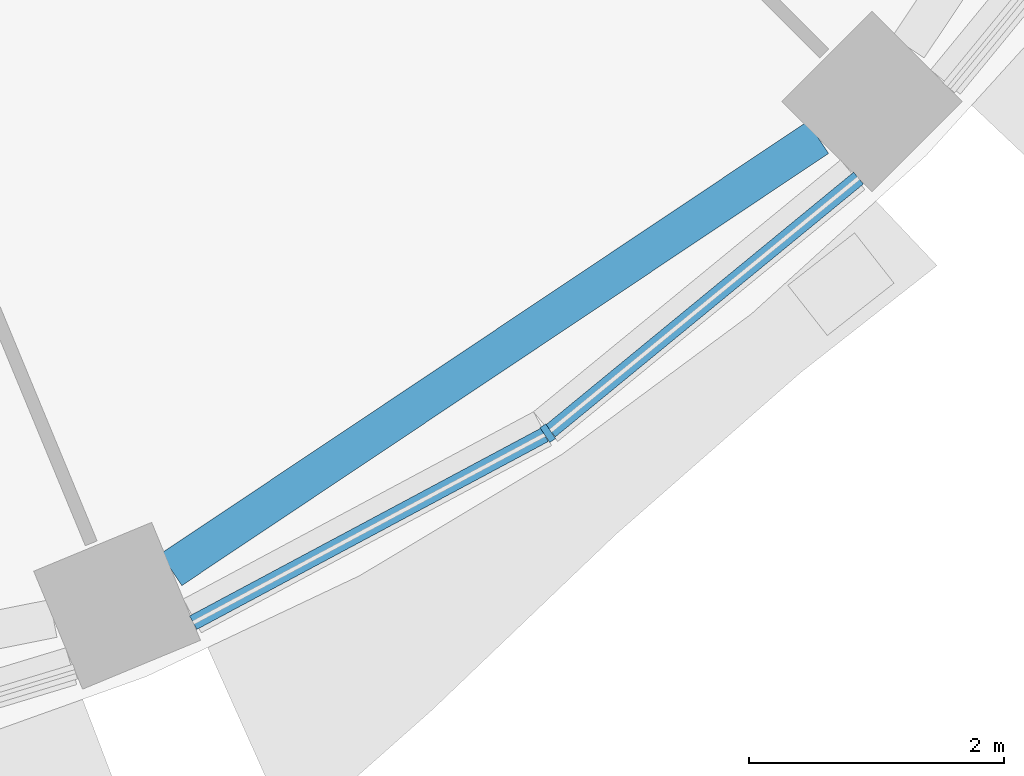
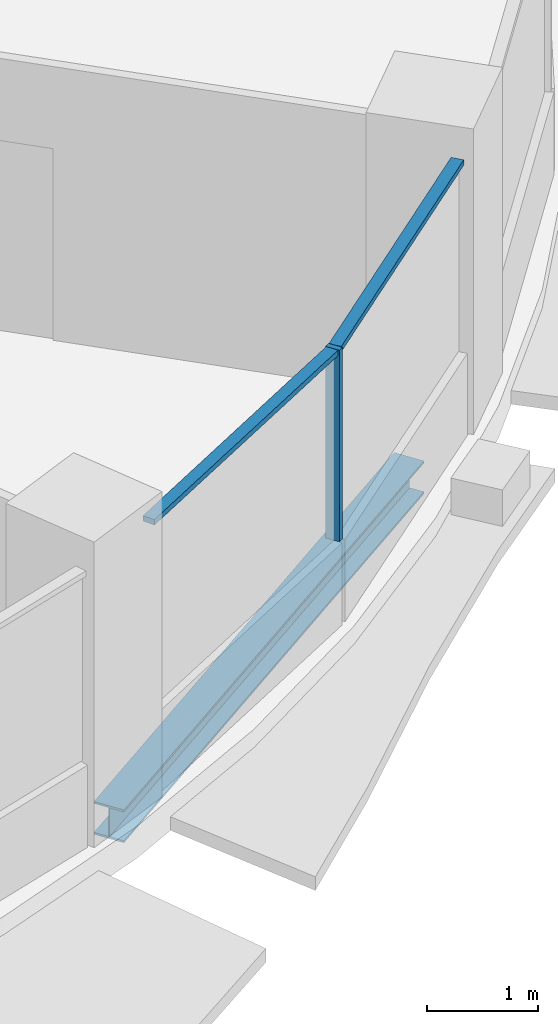
# One storey, part 3 of 15: 3 members, 1 beam, 1 element without a shape of its own.
"""IFC4 building model written with IfcOpenShell, lengths in metres."""

from ifc_helpers import new_model, si_unit, direction, frame, origin, origin_2d, place, context, subcontext, project, spatial, rectangle, i_section, extrude, material, material_profile, profile_set, type_object, element, aggregate, save


model = new_model("IFC4")

# Units and contexts
model_context = context("Model", 3, precision=1e-05, world=origin(), true_north=direction((0.0, 1.0)))
body_context = subcontext(model_context, "Body", "Model", "MODEL_VIEW")
ifc_project = project(units=[si_unit("LENGTHUNIT", "METRE"), si_unit("AREAUNIT", "SQUARE_METRE"), si_unit("VOLUMEUNIT", "CUBIC_METRE"), si_unit("PLANEANGLEUNIT", "RADIAN"), si_unit("MASSUNIT", "GRAM", prefix="KILO")], contexts=[model_context])

# Site, building, storey
site_placement = place(None, origin())
site = spatial("IfcSite", under=ifc_project, at=site_placement, CompositionType="ELEMENT")
building_placement = place(site_placement, origin())
building = spatial("IfcBuilding", under=site, at=building_placement, Name="Polderwave Tower", CompositionType="ELEMENT")
storey_placement = place(building_placement, frame((0.0, 0.0, 151.10009765625)))
storey = spatial("IfcBuildingStorey", under=building, at=storey_placement, Name="L40", CompositionType="ELEMENT", Elevation=151.10009765625)

# Curtain wall, members
ifc_material_1 = material(Name="Aluminium 6063-T6 and glass", Category="aluminium")
curtain_wall_type = type_object("IfcCurtainWallType", Name="Office ribbon glazing wall", PredefinedType="NOTDEFINED", material=ifc_material_1)
curtain_wall_placement = place(storey_placement, origin())
curtain_wall = element("IfcCurtainWall", 1, at=curtain_wall_placement, inside=storey, type_object=curtain_wall_type, Name="CW3 L40 13", PredefinedType="NOTDEFINED")
ifc_material_2 = material(Name="Aluminium 6063-T6", Category="aluminium")
ifc_material_profile_1 = material_profile(ifc_material_2, rectangle(XDim=0.139892578125, YDim=0.054931640625, at=origin_2d()), Name="AL 55x140")
ifc_profile_set_1 = profile_set([ifc_material_profile_1], Name="Aluminium 6063-T6")
member_type_1 = type_object("IfcMemberType", Name="Office ribbon glazing mullion 55x140", PredefinedType="MULLION", material=ifc_profile_set_1)
member_1_placement = place(storey_placement, frame((10.35009765625, -15.489990234375, 0.89990234375), z_axis=(0.0, 0.0, 1.0), x_axis=(-0.555548465006, 0.831484156812, 0.0)))
member_1 = element("IfcMember", 2, at=member_1_placement, type_object=member_type_1, Name="CW3 mullion 1", PredefinedType="MULLION", context=body_context, shape_type="SweptSolid", body=[
    extrude(rectangle(XDim=0.139892578125, YDim=0.054931640625, at=origin_2d()), origin(), (0.0, 0.0, 1.0), 2.10009765625),
])
ifc_material_profile_2 = material_profile(ifc_material_2, rectangle(XDim=0.1201171875, YDim=0.06005859375, at=origin_2d()), Name="AL 60x120")
ifc_profile_set_2 = profile_set([ifc_material_profile_2], Name="Aluminium 6063-T6")
member_type_2 = type_object("IfcMemberType", Name="Office ribbon glazing transom 60x120", PredefinedType="USERDEFINED", material=ifc_profile_set_2)
member_2_placement = place(storey_placement, frame((7.572021484375, -16.97509765625, 2.969970703125), z_axis=(0.881880665153, 0.471472684712, 0.0), x_axis=(-0.471472684712, 0.881880665153, 0.0)))
member_2 = element("IfcMember", 3, at=member_2_placement, type_object=member_type_2, Name="CW3 transom 1", ObjectType="TRANSOM", PredefinedType="USERDEFINED", context=body_context, shape_type="SweptSolid", body=[
    extrude(rectangle(XDim=0.1201171875, YDim=0.06005859375, at=origin_2d()), origin(), (0.0, 0.0, 1.0), 3.12255859375),
])
member_3_placement = place(storey_placement, frame((10.371337890625, -15.47265625, 2.969970703125), z_axis=(0.773019292913, 0.634382512988, 0.0), x_axis=(-0.634382512988, 0.773019292913, 0.0)))
member_3 = element("IfcMember", 4, at=member_3_placement, type_object=member_type_2, Name="CW3 transom 2", ObjectType="TRANSOM", PredefinedType="USERDEFINED", context=body_context, shape_type="SweptSolid", body=[
    extrude(rectangle(XDim=0.1201171875, YDim=0.06005859375, at=origin_2d()), origin(), (0.0, 0.0, 1.0), 3.122314453125),
])
aggregate(curtain_wall, [member_1, member_2, member_3])

# Beam
ifc_material_3 = material(Name="Steel S355", Category="steel")
ifc_material_profile_3 = material_profile(ifc_material_3, i_section(OverallWidth=0.300048828125, OverallDepth=0.360107421875, WebThickness=0.012451171875, FlangeThickness=0.0224609375, at=origin_2d()), Name="HE 360 B")
ifc_profile_set_3 = profile_set([ifc_material_profile_3], Name="Steel S355")
beam_type = type_object("IfcBeamType", Name="RING BEAM HE 360 B", PredefinedType="BEAM", material=ifc_profile_set_3)
beam_placement = place(storey_placement, frame((7.400146484375, -16.55908203125, -0.530029296875), z_axis=(0.831482776251, 0.555550531273, 0.0), x_axis=(-0.555550531273, 0.831482776251, 0.0)))
element("IfcBeam", 5, at=beam_placement, inside=storey, type_object=beam_type, Name="ST-RB-L40-13", PredefinedType="BEAM", context=body_context, shape_type="SweptSolid", body=[
    extrude(i_section(OverallWidth=0.300048828125, OverallDepth=0.360107421875, WebThickness=0.012451171875, FlangeThickness=0.0224609375, at=origin_2d()), origin(), (0.0, 0.0, 1.0), 6.093505859375),
])

save(model, "model.ifc")
